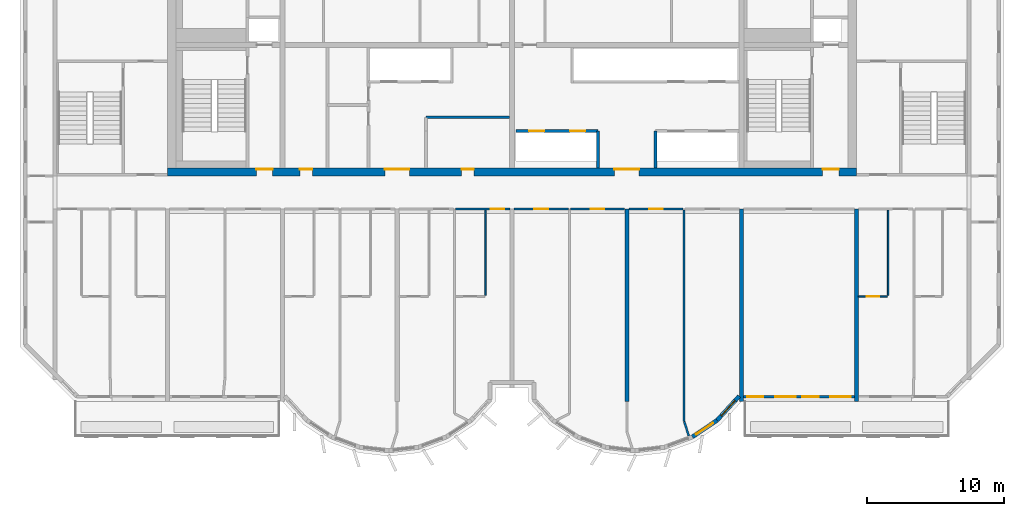
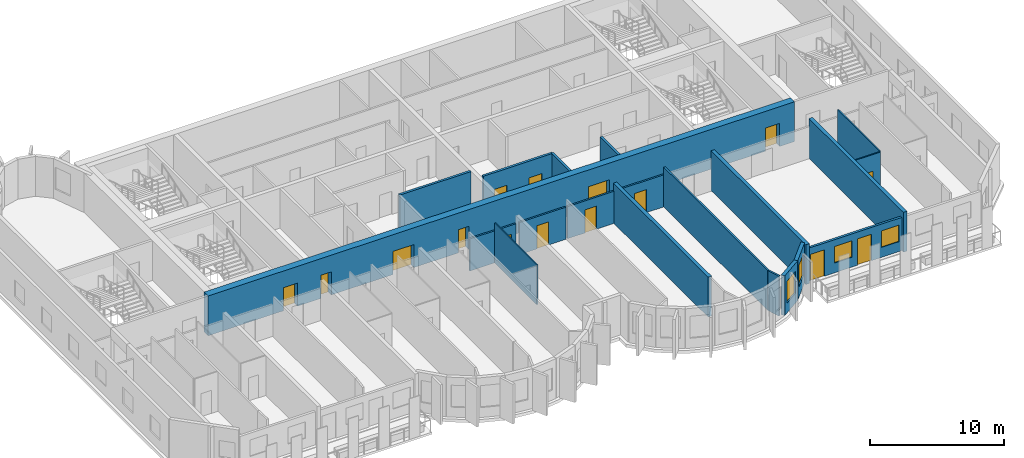
# One storey, part 5 of 11: 20 walls, 15 doors, 4 windows, 19 openings.
"""IFC4 building model written with IfcOpenShell, lengths in metres."""

from ifc_helpers import new_model, si_unit, direction, frame, frame_2d, origin, place, context, subcontext, project, spatial, rectangle, extrude, source, transform, mapped, material, layer, layer_set, type_object, element, fill, save


model = new_model("IFC4")

# Units and contexts
model_context = context("Model", 3, precision=1e-05, world=origin(), true_north=direction((0.0, 1.0)))
body_context = subcontext(model_context, "Body", "Model", "MODEL_VIEW")
ifc_project = project(units=[si_unit("LENGTHUNIT", "METRE"), si_unit("AREAUNIT", "SQUARE_METRE"), si_unit("VOLUMEUNIT", "CUBIC_METRE"), si_unit("PLANEANGLEUNIT", "RADIAN"), si_unit("MASSUNIT", "GRAM", prefix="KILO")], contexts=[model_context])

# Site, building, storey
site_placement = place(None, origin())
site = spatial("IfcSite", under=ifc_project, at=site_placement, CompositionType="ELEMENT")
building_placement = place(site_placement, origin())
building = spatial("IfcBuilding", under=site, at=building_placement, Name="Vanashikhar Sky Hotel", CompositionType="ELEMENT")
storey_placement = place(building_placement, frame((0.0, 0.0, 241.300048828125)))
storey = spatial("IfcBuildingStorey", under=building, at=storey_placement, Name="L58", CompositionType="ELEMENT", Elevation=241.300048828125)

# Wall, openings, doors
ifc_material_1 = material(Name="Concrete M60", Category="concrete")
ifc_layer_1 = layer(ifc_material_1, 0.60009765625)
ifc_layer_set_1 = layer_set([ifc_layer_1], Name="RC core shell wall 600 Concrete M60")
wall_type_1 = type_object("IfcWallType", Name="RC core shell wall 600 Concrete M60", PredefinedType="SHEAR", material=ifc_layer_set_1)
shared_shape_1 = source(origin(), body_context, "Body", "SweptSolid", [
    extrude(rectangle(XDim=50.400146484375, YDim=0.60009765625, at=frame_2d((25.2001953125, 0.0))), origin(), (0.0, 0.0, 1.0), 3.619873046875),
])
wall_1_placement = place(storey_placement, frame((25.199951171875, 22.300048828125, 0.0), z_axis=(0.0, 0.0, 1.0), x_axis=(1.0, 0.0, 0.0)))
wall_1 = element("IfcWall", 1, at=wall_1_placement, inside=storey, type_object=wall_type_1, Name="KW-L58-KS", PredefinedType="SHEAR", context=body_context, shape_type="MappedRepresentation", body=[
    mapped(shared_shape_1, transform((0.0, 0.0, 0.0), scale=1.0)),
])
shared_shape_2 = source(origin(), body_context, "Body", "SweptSolid", [
    extrude(rectangle(XDim=1.800048828125, YDim=2.10009765625, at=frame_2d((0.89990234375, 1.050048828125))), frame((0.0, 0.31005859375, 0.0), z_axis=(0.0, -1.0, 0.0), x_axis=(1.0, 0.0, 0.0)), (0.0, 0.0, 1.0), 0.6201171875),
])
opening_1_placement = place(wall_1_placement, frame((15.89990234375, 0.0, 0.0)))
opening_1 = element("IfcOpeningElement", 2, at=opening_1_placement, cuts=wall_1, Name="Opening DC-3-A", PredefinedType="OPENING", context=body_context, shape_type="MappedRepresentation", body=[
    mapped(shared_shape_2, transform((0.0, 0.0, 0.0), scale=1.0)),
])
shared_shape_3 = source(origin(), body_context, "Body", "SweptSolid", [
    extrude(rectangle(XDim=0.89990234375, YDim=2.10009765625, at=frame_2d((0.449951171875, 1.050048828125))), frame((0.0, 0.31005859375, 0.0), z_axis=(0.0, -1.0, 0.0), x_axis=(1.0, 0.0, 0.0)), (0.0, 0.0, 1.0), 0.6201171875),
])
opening_2_placement = place(wall_1_placement, frame((9.68701171875, 0.0, 0.0)))
opening_2 = element("IfcOpeningElement", 3, at=opening_2_placement, cuts=wall_1, Name="Opening DC-4-A", PredefinedType="OPENING", context=body_context, shape_type="MappedRepresentation", body=[
    mapped(shared_shape_3, transform((0.0, 0.0, 0.0), scale=1.0)),
])
opening_3_placement = place(wall_1_placement, frame((21.512939453125, 0.0, 0.0)))
opening_3 = element("IfcOpeningElement", 4, at=opening_3_placement, cuts=wall_1, Name="Opening DC-4-A", PredefinedType="OPENING", context=body_context, shape_type="MappedRepresentation", body=[
    mapped(shared_shape_3, transform((0.0, 0.0, 0.0), scale=1.0)),
])
opening_4_placement = place(wall_1_placement, frame((32.699951171875, 0.0, 0.0)))
opening_4 = element("IfcOpeningElement", 5, at=opening_4_placement, cuts=wall_1, Name="Opening DC-3-A", PredefinedType="OPENING", context=body_context, shape_type="MappedRepresentation", body=[
    mapped(shared_shape_2, transform((0.0, 0.0, 0.0), scale=1.0)),
])
shared_shape_4 = source(origin(), body_context, "Body", "SweptSolid", [
    extrude(rectangle(XDim=1.199951171875, YDim=2.10009765625, at=frame_2d((0.60009765625, 1.050048828125))), frame((0.0, 0.31005859375, 0.0), z_axis=(0.0, -1.0, 0.0), x_axis=(1.0, 0.0, 0.0)), (0.0, 0.0, 1.0), 0.6201171875),
])
opening_5_placement = place(wall_1_placement, frame((6.488037109375, 0.0, 0.0)))
opening_5 = element("IfcOpeningElement", 6, at=opening_5_placement, cuts=wall_1, Name="Opening DC-2", PredefinedType="OPENING", context=body_context, shape_type="MappedRepresentation", body=[
    mapped(shared_shape_4, transform((0.0, 0.0, 0.0), scale=1.0)),
])
opening_6_placement = place(wall_1_placement, frame((47.925048828125, 0.0, 0.0)))
opening_6 = element("IfcOpeningElement", 7, at=opening_6_placement, cuts=wall_1, Name="Opening DC-2", PredefinedType="OPENING", context=body_context, shape_type="MappedRepresentation", body=[
    mapped(shared_shape_4, transform((0.0, 0.0, 0.0), scale=1.0)),
])
ifc_material_2 = material(Name="Steel", Category="steel")
door_type_1 = type_object("IfcDoorType", Name="Firefighting lobby door 1200 FD120", OperationType="NOTDEFINED", PredefinedType="DOOR", material=ifc_material_2)
shared_shape_5 = source(origin(), body_context, "Body", "SweptSolid", [
    extrude(rectangle(XDim=1.199951171875, YDim=2.10009765625, at=frame_2d((0.60009765625, 1.050048828125))), frame((0.0, 0.22509765625, 0.0), z_axis=(0.0, -1.0, 0.0), x_axis=(1.0, 0.0, 0.0)), (0.0, 0.0, 1.0), 0.050048828125),
])
door_1_placement = place(opening_5_placement, origin())
door_1 = element("IfcDoor", 8, at=door_1_placement, inside=storey, type_object=door_type_1, Name="Firefighting lobby door 1200 FD120", OperationType="SINGLE_SWING_RIGHT", OverallHeight=2.10009765625, OverallWidth=1.199951171875, PredefinedType="DOOR", context=body_context, shape_type="MappedRepresentation", body=[
    mapped(shared_shape_5, transform((0.0, 0.0, 0.0), scale=1.0)),
])
fill(opening_5, door_1)
door_2_placement = place(opening_6_placement, origin())
door_2 = element("IfcDoor", 9, at=door_2_placement, inside=storey, type_object=door_type_1, Name="Firefighting lobby door 1200 FD120", OperationType="SINGLE_SWING_RIGHT", OverallHeight=2.10009765625, OverallWidth=1.199951171875, PredefinedType="DOOR", context=body_context, shape_type="MappedRepresentation", body=[
    mapped(shared_shape_5, transform((0.0, 0.0, 0.0), scale=1.0)),
])
fill(opening_6, door_2)
door_type_2 = type_object("IfcDoorType", Name="Service door 900 FD60", OperationType="NOTDEFINED", PredefinedType="DOOR", material=ifc_material_2)
shared_shape_6 = source(origin(), body_context, "Body", "SweptSolid", [
    extrude(rectangle(XDim=0.89990234375, YDim=2.10009765625, at=frame_2d((0.449951171875, 1.050048828125))), frame((0.0, 0.22509765625, 0.0), z_axis=(0.0, -1.0, 0.0), x_axis=(1.0, 0.0, 0.0)), (0.0, 0.0, 1.0), 0.050048828125),
])
door_3_placement = place(opening_2_placement, origin())
door_3 = element("IfcDoor", 10, at=door_3_placement, inside=storey, type_object=door_type_2, Name="Service door 900 FD60", OperationType="SINGLE_SWING_RIGHT", OverallHeight=2.10009765625, OverallWidth=0.89990234375, PredefinedType="DOOR", context=body_context, shape_type="MappedRepresentation", body=[
    mapped(shared_shape_6, transform((0.0, 0.0, 0.0), scale=1.0)),
])
fill(opening_2, door_3)
door_4_placement = place(opening_3_placement, origin())
door_4 = element("IfcDoor", 11, at=door_4_placement, inside=storey, type_object=door_type_2, Name="Service door 900 FD60", OperationType="SINGLE_SWING_RIGHT", OverallHeight=2.10009765625, OverallWidth=0.89990234375, PredefinedType="DOOR", context=body_context, shape_type="MappedRepresentation", body=[
    mapped(shared_shape_6, transform((0.0, 0.0, 0.0), scale=1.0)),
])
fill(opening_3, door_4)
ifc_material_3 = material(Name="Glass", Category="glass")
door_type_3 = type_object("IfcDoorType", Name="Lift lobby entrance door 1800 FD30S", OperationType="NOTDEFINED", PredefinedType="DOOR", material=ifc_material_3)
shared_shape_7 = source(origin(), body_context, "Body", "SweptSolid", [
    extrude(rectangle(XDim=1.800048828125, YDim=2.10009765625, at=frame_2d((0.89990234375, 1.050048828125))), frame((0.0, 0.22509765625, 0.0), z_axis=(0.0, -1.0, 0.0), x_axis=(1.0, 0.0, 0.0)), (0.0, 0.0, 1.0), 0.050048828125),
])
door_5_placement = place(opening_1_placement, origin())
door_5 = element("IfcDoor", 12, at=door_5_placement, inside=storey, type_object=door_type_3, Name="Lift lobby entrance door 1800 FD30S", OperationType="DOUBLE_DOOR_SINGLE_SWING", OverallHeight=2.10009765625, OverallWidth=1.800048828125, PredefinedType="DOOR", context=body_context, shape_type="MappedRepresentation", body=[
    mapped(shared_shape_7, transform((0.0, 0.0, 0.0), scale=1.0)),
])
fill(opening_1, door_5)
door_6_placement = place(opening_4_placement, origin())
door_6 = element("IfcDoor", 13, at=door_6_placement, inside=storey, type_object=door_type_3, Name="Lift lobby entrance door 1800 FD30S", OperationType="DOUBLE_DOOR_SINGLE_SWING", OverallHeight=2.10009765625, OverallWidth=1.800048828125, PredefinedType="DOOR", context=body_context, shape_type="MappedRepresentation", body=[
    mapped(shared_shape_7, transform((0.0, 0.0, 0.0), scale=1.0)),
])
fill(opening_4, door_6)

# Walls
ifc_layer_2 = layer(ifc_material_1, 0.300048828125)
ifc_layer_set_2 = layer_set([ifc_layer_2], Name="RC shear wall 300 Concrete M60")
wall_type_2 = type_object("IfcWallType", Name="RC shear wall 300 Concrete M60", PredefinedType="SHEAR", material=ifc_layer_set_2)
shared_shape_8 = source(origin(), body_context, "Body", "SweptSolid", [
    extrude(rectangle(XDim=14.10009765625, YDim=0.300048828125, at=frame_2d((7.050048828125, 0.0))), origin(), (0.0, 0.0, 1.0), 3.619873046875),
])
for number, where, z_axis, x_axis, name in (
    (14, (58.800048828125, 5.5, 0.0), (0.0, 0.0, 1.0), (0.0, 1.0, 0.0), "CW-L58-XW08-1"),
    (15, (67.199951171875, 5.5, 0.0), (0.0, 0.0, 1.0), (0.0, 1.0, 0.0), "CW-L58-XW09-1"),
    (16, (75.60009765625, 5.5, 0.0), (0.0, 0.0, 1.0), (0.0, 1.0, 0.0), "CW-L58-XW10-1"),
):
    element("IfcWall", number, at=place(storey_placement, frame(where, z_axis=z_axis, x_axis=x_axis)), inside=storey, type_object=wall_type_2, Name=name, PredefinedType="SHEAR", context=body_context, shape_type="MappedRepresentation", body=[
        mapped(shared_shape_8, transform((0.0, 0.0, 0.0), scale=1.0)),
    ])

# Wall, openings, windows, doors
ifc_material_4 = material(Name="Concrete M50", Category="concrete")
ifc_layer_3 = layer(ifc_material_4, 0.199951171875)
ifc_layer_set_3 = layer_set([ifc_layer_3], Name="Front window wall 200")
wall_type_3 = type_object("IfcWallType", Name="Front window wall 200", PredefinedType="SOLIDWALL", material=ifc_layer_set_3)
shared_shape_9 = source(origin(), body_context, "Body", "SweptSolid", [
    extrude(rectangle(XDim=8.099853515625, YDim=0.199951171875, at=frame_2d((4.0498046875, 0.0))), origin(), (0.0, 0.0, 1.0), 3.02001953125),
])
wall_2_placement = place(storey_placement, frame((67.35009765625, 5.85009765625, 0.0), z_axis=(0.0, 0.0, 1.0), x_axis=(1.0, 0.0, 0.0)))
wall_2 = element("IfcWall", 17, at=wall_2_placement, inside=storey, type_object=wall_type_3, Name="Front window wall", PredefinedType="SOLIDWALL", context=body_context, shape_type="MappedRepresentation", body=[
    mapped(shared_shape_9, transform((0.0, 0.0, 0.0), scale=1.0)),
])
shared_shape_10 = source(origin(), body_context, "Body", "SweptSolid", [
    extrude(rectangle(XDim=1.199951171875, YDim=2.39990234375, at=frame_2d((0.60009765625, 1.199951171875))), frame((0.0, 0.10986328125, 0.0), z_axis=(0.0, -1.0, 0.0), x_axis=(1.0, 0.0, 0.0)), (0.0, 0.0, 1.0), 0.219970703125),
])
opening_7_placement = place(wall_2_placement, frame((0.25, 0.0, 0.0)))
opening_7 = element("IfcOpeningElement", 18, at=opening_7_placement, cuts=wall_2, Name="Opening BD-03", PredefinedType="OPENING", context=body_context, shape_type="MappedRepresentation", body=[
    mapped(shared_shape_10, transform((0.0, 0.0, 0.0), scale=1.0)),
])
shared_shape_11 = source(origin(), body_context, "Body", "SweptSolid", [
    extrude(rectangle(XDim=1.5, YDim=1.5, at=frame_2d((0.75, 0.75))), frame((0.0, 0.10986328125, 0.0), z_axis=(0.0, -1.0, 0.0), x_axis=(1.0, 0.0, 0.0)), (0.0, 0.0, 1.0), 0.219970703125),
])
opening_8_placement = place(wall_2_placement, frame((2.300048828125, 0.0, 0.89990234375)))
opening_8 = element("IfcOpeningElement", 19, at=opening_8_placement, cuts=wall_2, Name="Opening WN-1", PredefinedType="OPENING", context=body_context, shape_type="MappedRepresentation", body=[
    mapped(shared_shape_11, transform((0.0, 0.0, 0.0), scale=1.0)),
])
opening_9_placement = place(wall_2_placement, frame((4.300048828125, 0.0, 0.0)))
opening_9 = element("IfcOpeningElement", 20, at=opening_9_placement, cuts=wall_2, Name="Opening BD-04", PredefinedType="OPENING", context=body_context, shape_type="MappedRepresentation", body=[
    mapped(shared_shape_10, transform((0.0, 0.0, 0.0), scale=1.0)),
])
opening_10_placement = place(wall_2_placement, frame((6.35009765625, 0.0, 0.89990234375)))
opening_10 = element("IfcOpeningElement", 21, at=opening_10_placement, cuts=wall_2, Name="Opening WN-1", PredefinedType="OPENING", context=body_context, shape_type="MappedRepresentation", body=[
    mapped(shared_shape_11, transform((0.0, 0.0, 0.0), scale=1.0)),
])
window_type_1 = type_object("IfcWindowType", Name="Window 1500 x 1500", PartitioningType="SINGLE_PANEL", PredefinedType="WINDOW", material=ifc_material_3)
shared_shape_12 = source(origin(), body_context, "Body", "SweptSolid", [
    extrude(rectangle(XDim=1.5, YDim=1.5, at=frame_2d((0.75, 0.75))), frame((0.0, 0.030029296875, 0.0), z_axis=(0.0, -1.0, 0.0), x_axis=(1.0, 0.0, 0.0)), (0.0, 0.0, 1.0), 0.06005859375),
])
window_1_placement = place(opening_8_placement, origin())
window_1 = element("IfcWindow", 22, at=window_1_placement, inside=storey, type_object=window_type_1, Name="Window WN-1", OverallHeight=1.5, OverallWidth=1.5, PartitioningType="SINGLE_PANEL", PredefinedType="WINDOW", context=body_context, shape_type="MappedRepresentation", body=[
    mapped(shared_shape_12, transform((0.0, 0.0, 0.0), scale=1.0)),
])
fill(opening_8, window_1)
window_2_placement = place(opening_10_placement, origin())
window_2 = element("IfcWindow", 23, at=window_2_placement, inside=storey, type_object=window_type_1, Name="Window WN-1", OverallHeight=1.5, OverallWidth=1.5, PartitioningType="SINGLE_PANEL", PredefinedType="WINDOW", context=body_context, shape_type="MappedRepresentation", body=[
    mapped(shared_shape_12, transform((0.0, 0.0, 0.0), scale=1.0)),
])
fill(opening_10, window_2)
ifc_material_5 = material(Name="Aluminium", Category="aluminium")
door_type_4 = type_object("IfcDoorType", Name="Balcony sliding door 1200 x 2400", OperationType="NOTDEFINED", PredefinedType="DOOR", material=ifc_material_5)
shared_shape_13 = source(origin(), body_context, "Body", "SweptSolid", [
    extrude(rectangle(XDim=1.199951171875, YDim=2.39990234375, at=frame_2d((0.60009765625, 1.199951171875))), frame((0.0, 0.02490234375, 0.0), z_axis=(0.0, -1.0, 0.0), x_axis=(1.0, 0.0, 0.0)), (0.0, 0.0, 1.0), 0.050048828125),
])
door_7_placement = place(opening_7_placement, origin())
door_7 = element("IfcDoor", 24, at=door_7_placement, inside=storey, type_object=door_type_4, Name="Balcony sliding door", OperationType="SLIDING_TO_LEFT", OverallHeight=2.39990234375, OverallWidth=1.199951171875, PredefinedType="DOOR", context=body_context, shape_type="MappedRepresentation", body=[
    mapped(shared_shape_13, transform((0.0, 0.0, 0.0), scale=1.0)),
])
fill(opening_7, door_7)
door_8_placement = place(opening_9_placement, origin())
door_8 = element("IfcDoor", 25, at=door_8_placement, inside=storey, type_object=door_type_4, Name="Balcony sliding door", OperationType="SLIDING_TO_RIGHT", OverallHeight=2.39990234375, OverallWidth=1.199951171875, PredefinedType="DOOR", context=body_context, shape_type="MappedRepresentation", body=[
    mapped(shared_shape_13, transform((0.0, 0.0, 0.0), scale=1.0)),
])
fill(opening_9, door_8)

# Wall, opening, window
ifc_layer_4 = layer(ifc_material_4, 0.300048828125)
ifc_layer_set_4 = layer_set([ifc_layer_4], Name="Lobe wall 300")
wall_type_4 = type_object("IfcWallType", Name="Lobe wall 300", PredefinedType="SOLIDWALL", material=ifc_layer_set_4)
shared_shape_14 = source(origin(), body_context, "Body", "SweptSolid", [
    extrude(rectangle(XDim=2.398193359375, YDim=0.300048828125, at=frame_2d((1.19921875, 0.0))), origin(), (0.0, 0.0, 1.0), 3.619873046875),
])
wall_3_placement = place(storey_placement, frame((65.404296875, 4.13134765625, 0.0), z_axis=(0.0, 0.0, 1.0), x_axis=(0.675374189419, 0.737475222815, 0.0)))
wall_3 = element("IfcWall", 26, at=wall_3_placement, inside=storey, type_object=wall_type_4, Name="Lobe wall", PredefinedType="SOLIDWALL", context=body_context, shape_type="MappedRepresentation", body=[
    mapped(shared_shape_14, transform((0.0, 0.0, 0.0), scale=1.0)),
])
shared_shape_15 = source(origin(), body_context, "Body", "SweptSolid", [
    extrude(rectangle(XDim=1.5, YDim=2.0, at=frame_2d((0.75, 1.0))), frame((0.0, 0.16015625, 0.0), z_axis=(0.0, -1.0, 0.0), x_axis=(1.0, 0.0, 0.0)), (0.0, 0.0, 1.0), 0.320068359375),
])
opening_11_placement = place(wall_3_placement, frame((0.44921875, 0.0, 0.89990234375)))
opening_11 = element("IfcOpeningElement", 27, at=opening_11_placement, cuts=wall_3, Name="Opening WN-2", PredefinedType="OPENING", context=body_context, shape_type="MappedRepresentation", body=[
    mapped(shared_shape_15, transform((0.0, 0.0, 0.0), scale=1.0)),
])
window_type_2 = type_object("IfcWindowType", Name="Lobe window 1500 x 2000", PartitioningType="SINGLE_PANEL", PredefinedType="WINDOW", material=ifc_material_3)
shared_shape_16 = source(origin(), body_context, "Body", "SweptSolid", [
    extrude(rectangle(XDim=1.5, YDim=2.0, at=frame_2d((0.75, 1.0))), frame((0.0, 0.030029296875, 0.0), z_axis=(0.0, -1.0, 0.0), x_axis=(1.0, 0.0, 0.0)), (0.0, 0.0, 1.0), 0.06005859375),
])
window_3_placement = place(opening_11_placement, origin())
window_3 = element("IfcWindow", 28, at=window_3_placement, inside=storey, type_object=window_type_2, Name="Window WN-2", OverallHeight=2.0, OverallWidth=1.5, PartitioningType="SINGLE_PANEL", PredefinedType="WINDOW", context=body_context, shape_type="MappedRepresentation", body=[
    mapped(shared_shape_16, transform((0.0, 0.0, 0.0), scale=1.0)),
])
fill(opening_11, window_3)

shared_shape_17 = source(origin(), body_context, "Body", "SweptSolid", [
    extrude(rectangle(XDim=2.17578125, YDim=0.300048828125, at=frame_2d((1.087890625, 0.0))), origin(), (0.0, 0.0, 1.0), 3.619873046875),
])
wall_4_placement = place(storey_placement, frame((63.59912109375, 2.91650390625, 0.0), z_axis=(0.0, 0.0, 1.0), x_axis=(0.829625727223, 0.558319937607, 0.0)))
wall_4 = element("IfcWall", 29, at=wall_4_placement, inside=storey, type_object=wall_type_4, Name="Lobe wall", PredefinedType="SOLIDWALL", context=body_context, shape_type="MappedRepresentation", body=[
    mapped(shared_shape_17, transform((0.0, 0.0, 0.0), scale=1.0)),
])
opening_12_placement = place(wall_4_placement, frame((0.337890625, 0.0, 0.89990234375)))
opening_12 = element("IfcOpeningElement", 30, at=opening_12_placement, cuts=wall_4, Name="Opening WN-2", PredefinedType="OPENING", context=body_context, shape_type="MappedRepresentation", body=[
    mapped(shared_shape_15, transform((0.0, 0.0, 0.0), scale=1.0)),
])
window_4_placement = place(opening_12_placement, origin())
window_4 = element("IfcWindow", 31, at=window_4_placement, inside=storey, type_object=window_type_2, Name="Window WN-2", OverallHeight=2.0, OverallWidth=1.5, PartitioningType="SINGLE_PANEL", PredefinedType="WINDOW", context=body_context, shape_type="MappedRepresentation", body=[
    mapped(shared_shape_16, transform((0.0, 0.0, 0.0), scale=1.0)),
])
fill(opening_12, window_4)

# Wall, openings, doors
ifc_material_6 = material(Name="Concrete M40", Category="concrete")
ifc_layer_5 = layer(ifc_material_6, 0.199951171875)
ifc_layer_set_5 = layer_set([ifc_layer_5], Name="Shaft wall 200")
wall_type_5 = type_object("IfcWallType", Name="Shaft wall 200", PredefinedType="SOLIDWALL", material=ifc_layer_set_5)
shared_shape_18 = source(origin(), body_context, "Body", "SweptSolid", [
    extrude(rectangle(XDim=6.0, YDim=0.199951171875, at=frame_2d((3.0, 0.0))), origin(), (0.0, 0.0, 1.0), 3.619873046875),
])
wall_5_placement = place(storey_placement, frame((56.699951171875, 25.300048828125, 0.0), z_axis=(0.0, 0.0, 1.0), x_axis=(-1.0, 0.0, 0.0)))
wall_5 = element("IfcWall", 32, at=wall_5_placement, inside=storey, type_object=wall_type_5, Name="Shaft wall 200", PredefinedType="SOLIDWALL", context=body_context, shape_type="MappedRepresentation", body=[
    mapped(shared_shape_18, transform((0.0, 0.0, 0.0), scale=1.0)),
])
shared_shape_19 = source(origin(), body_context, "Body", "SweptSolid", [
    extrude(rectangle(XDim=1.10009765625, YDim=2.10009765625, at=frame_2d((0.550048828125, 1.050048828125))), frame((0.0, 0.10986328125, 0.0), z_axis=(0.0, -1.0, 0.0), x_axis=(1.0, 0.0, 0.0)), (0.0, 0.0, 1.0), 0.219970703125),
])
opening_13_placement = place(wall_5_placement, frame((0.949951171875, 0.0, 0.0)))
opening_13 = element("IfcOpeningElement", 33, at=opening_13_placement, cuts=wall_5, Name="Opening LD", PredefinedType="OPENING", context=body_context, shape_type="MappedRepresentation", body=[
    mapped(shared_shape_19, transform((0.0, 0.0, 0.0), scale=1.0)),
])
opening_14_placement = place(wall_5_placement, frame((3.949951171875, 0.0, 0.0)))
opening_14 = element("IfcOpeningElement", 34, at=opening_14_placement, cuts=wall_5, Name="Opening LD", PredefinedType="OPENING", context=body_context, shape_type="MappedRepresentation", body=[
    mapped(shared_shape_19, transform((0.0, 0.0, 0.0), scale=1.0)),
])
ifc_material_7 = material(Name="Stainless steel", Category="steel")
door_type_5 = type_object("IfcDoorType", Name="Lift landing door 1100", OperationType="NOTDEFINED", PredefinedType="DOOR", material=ifc_material_7)
shared_shape_20 = source(origin(), body_context, "Body", "SweptSolid", [
    extrude(rectangle(XDim=1.10009765625, YDim=2.10009765625, at=frame_2d((0.550048828125, 1.050048828125))), frame((0.0, 0.02490234375, 0.0), z_axis=(0.0, -1.0, 0.0), x_axis=(1.0, 0.0, 0.0)), (0.0, 0.0, 1.0), 0.050048828125),
])
door_9_placement = place(opening_13_placement, origin())
door_9 = element("IfcDoor", 35, at=door_9_placement, inside=storey, type_object=door_type_5, Name="Lift landing door 1100", OperationType="SLIDING_TO_RIGHT", OverallHeight=2.10009765625, OverallWidth=1.10009765625, PredefinedType="DOOR", context=body_context, shape_type="MappedRepresentation", body=[
    mapped(shared_shape_20, transform((0.0, 0.0, 0.0), scale=1.0)),
])
fill(opening_13, door_9)
door_10_placement = place(opening_14_placement, origin())
door_10 = element("IfcDoor", 36, at=door_10_placement, inside=storey, type_object=door_type_5, Name="Lift landing door 1100", OperationType="SLIDING_TO_LEFT", OverallHeight=2.10009765625, OverallWidth=1.10009765625, PredefinedType="DOOR", context=body_context, shape_type="MappedRepresentation", body=[
    mapped(shared_shape_20, transform((0.0, 0.0, 0.0), scale=1.0)),
])
fill(opening_14, door_10)

# Walls
shared_shape_21 = source(origin(), body_context, "Body", "SweptSolid", [
    extrude(rectangle(XDim=2.699951171875, YDim=0.199951171875, at=frame_2d((1.35009765625, 0.0))), origin(), (0.0, 0.0, 1.0), 3.619873046875),
])
for number, where, z_axis, x_axis, name in (
    (37, (60.89990234375, 22.60009765625, 0.0), (0.0, 0.0, 1.0), (0.0, 1.0, 0.0), "Shaft wall 200"),
    (38, (56.699951171875, 22.60009765625, 0.0), (0.0, 0.0, 1.0), (0.0, 1.0, 0.0), "Shaft wall 200"),
):
    element("IfcWall", number, at=place(storey_placement, frame(where, z_axis=z_axis, x_axis=x_axis)), inside=storey, type_object=wall_type_5, Name=name, PredefinedType="SOLIDWALL", context=body_context, shape_type="MappedRepresentation", body=[
        mapped(shared_shape_21, transform((0.0, 0.0, 0.0), scale=1.0)),
    ])
ifc_material_8 = material(Name="Gypsum board partition")
ifc_layer_6 = layer(ifc_material_8, 0.14990234375)
ifc_layer_set_6 = layer_set([ifc_layer_6], Name="Service partition 150")
wall_type_6 = type_object("IfcWallType", Name="Service partition 150", PredefinedType="PARTITIONING", material=ifc_layer_set_6)
shared_shape_22 = source(origin(), body_context, "Body", "SweptSolid", [
    extrude(rectangle(XDim=6.125, YDim=0.199951171875, at=frame_2d((3.0625, 0.0))), origin(), (0.0, 0.0, 1.0), 3.619873046875),
])
wall_6_placement = place(storey_placement, frame((44.10009765625, 26.300048828125, 0.0), z_axis=(0.0, 0.0, 1.0), x_axis=(1.0, 0.0, 0.0)))
element("IfcWall", 39, at=wall_6_placement, inside=storey, type_object=wall_type_6, Name="Service partition 150", PredefinedType="PARTITIONING", context=body_context, shape_type="MappedRepresentation", body=[
    mapped(shared_shape_22, transform((0.0, 0.0, 0.0), scale=1.0)),
])

# Wall, opening, door
ifc_material_9 = material(Name="Gypsum plasterboard partition")
ifc_layer_7 = layer(ifc_material_9, 0.14990234375)
ifc_layer_set_7 = layer_set([ifc_layer_7], Name="Corridor and demising partition 150")
wall_type_7 = type_object("IfcWallType", Name="Corridor and demising partition 150", PredefinedType="PARTITIONING", material=ifc_layer_set_7)
shared_shape_23 = source(origin(), body_context, "Body", "SweptSolid", [
    extrude(rectangle(XDim=3.97509765625, YDim=0.14990234375, at=frame_2d((1.987548828125, 0.0))), origin(), (0.0, 0.0, 1.0), 2.919921875),
])
wall_7_placement = place(storey_placement, frame((46.27490234375, 19.60009765625, 0.0), z_axis=(0.0, 0.0, 1.0), x_axis=(1.0, 0.0, 0.0)))
wall_7 = element("IfcWall", 40, at=wall_7_placement, inside=storey, type_object=wall_type_7, Name="W-L58-PW023", PredefinedType="PARTITIONING", context=body_context, shape_type="MappedRepresentation", body=[
    mapped(shared_shape_23, transform((0.0, 0.0, 0.0), scale=1.0)),
])
shared_shape_24 = source(origin(), body_context, "Body", "SweptSolid", [
    extrude(rectangle(XDim=1.0, YDim=2.10009765625, at=frame_2d((0.5, 1.050048828125))), frame((0.0, 0.0849609375, 0.0), z_axis=(0.0, -1.0, 0.0), x_axis=(1.0, 0.0, 0.0)), (0.0, 0.0, 1.0), 0.169921875),
])
opening_15_placement = place(wall_7_placement, frame((2.574951171875, 0.0, 0.0)))
opening_15 = element("IfcOpeningElement", 41, at=opening_15_placement, cuts=wall_7, Name="Opening D-01", PredefinedType="OPENING", context=body_context, shape_type="MappedRepresentation", body=[
    mapped(shared_shape_24, transform((0.0, 0.0, 0.0), scale=1.0)),
])
ifc_material_10 = material(Name="Timber fire door", Category="wood")
door_type_6 = type_object("IfcDoorType", Name="Guest entry door 1000 FD30S", OperationType="NOTDEFINED", PredefinedType="DOOR", material=ifc_material_10)
shared_shape_25 = source(origin(), body_context, "Body", "SweptSolid", [
    extrude(rectangle(XDim=1.0, YDim=2.10009765625, at=frame_2d((0.5, 1.050048828125))), frame((0.0, 0.02490234375, 0.0), z_axis=(0.0, -1.0, 0.0), x_axis=(1.0, 0.0, 0.0)), (0.0, 0.0, 1.0), 0.050048828125),
])
door_11_placement = place(opening_15_placement, origin())
door_11 = element("IfcDoor", 42, at=door_11_placement, inside=storey, type_object=door_type_6, Name="D-L58-014", OperationType="SINGLE_SWING_RIGHT", OverallHeight=2.10009765625, OverallWidth=1.0, PredefinedType="DOOR", context=body_context, shape_type="MappedRepresentation", body=[
    mapped(shared_shape_25, transform((0.0, 0.0, 0.0), scale=1.0)),
])
fill(opening_15, door_11)

wall_8_placement = place(storey_placement, frame((58.949951171875, 19.60009765625, 0.0), z_axis=(0.0, 0.0, 1.0), x_axis=(1.0, 0.0, 0.0)))
wall_8 = element("IfcWall", 43, at=wall_8_placement, inside=storey, type_object=wall_type_7, Name="W-L58-PW028", PredefinedType="PARTITIONING", context=body_context, shape_type="MappedRepresentation", body=[
    mapped(shared_shape_23, transform((0.0, 0.0, 0.0), scale=1.0)),
])
opening_16_placement = place(wall_8_placement, frame((1.487060546875, 0.0, 0.0)))
opening_16 = element("IfcOpeningElement", 44, at=opening_16_placement, cuts=wall_8, Name="Opening D-01", PredefinedType="OPENING", context=body_context, shape_type="MappedRepresentation", body=[
    mapped(shared_shape_24, transform((0.0, 0.0, 0.0), scale=1.0)),
])
door_12_placement = place(opening_16_placement, origin())
door_12 = element("IfcDoor", 45, at=door_12_placement, inside=storey, type_object=door_type_6, Name="D-L58-017", OperationType="SINGLE_SWING_LEFT", OverallHeight=2.10009765625, OverallWidth=1.0, PredefinedType="DOOR", context=body_context, shape_type="MappedRepresentation", body=[
    mapped(shared_shape_25, transform((0.0, 0.0, 0.0), scale=1.0)),
])
fill(opening_16, door_12)

shared_shape_26 = source(origin(), body_context, "Body", "SweptSolid", [
    extrude(rectangle(XDim=3.974853515625, YDim=0.14990234375, at=frame_2d((1.9873046875, 0.0))), origin(), (0.0, 0.0, 1.0), 2.919921875),
])
wall_9_placement = place(storey_placement, frame((50.550048828125, 19.60009765625, 0.0), z_axis=(0.0, 0.0, 1.0), x_axis=(1.0, 0.0, 0.0)))
wall_9 = element("IfcWall", 46, at=wall_9_placement, inside=storey, type_object=wall_type_7, Name="W-L58-PW025", PredefinedType="PARTITIONING", context=body_context, shape_type="MappedRepresentation", body=[
    mapped(shared_shape_26, transform((0.0, 0.0, 0.0), scale=1.0)),
])
opening_17_placement = place(wall_9_placement, frame((1.487060546875, 0.0, 0.0)))
opening_17 = element("IfcOpeningElement", 47, at=opening_17_placement, cuts=wall_9, Name="Opening D-01", PredefinedType="OPENING", context=body_context, shape_type="MappedRepresentation", body=[
    mapped(shared_shape_24, transform((0.0, 0.0, 0.0), scale=1.0)),
])
door_13_placement = place(opening_17_placement, origin())
door_13 = element("IfcDoor", 48, at=door_13_placement, inside=storey, type_object=door_type_6, Name="D-L58-015", OperationType="SINGLE_SWING_LEFT", OverallHeight=2.10009765625, OverallWidth=1.0, PredefinedType="DOOR", context=body_context, shape_type="MappedRepresentation", body=[
    mapped(shared_shape_25, transform((0.0, 0.0, 0.0), scale=1.0)),
])
fill(opening_17, door_13)

wall_10_placement = place(storey_placement, frame((54.675048828125, 19.60009765625, 0.0), z_axis=(0.0, 0.0, 1.0), x_axis=(1.0, 0.0, 0.0)))
wall_10 = element("IfcWall", 49, at=wall_10_placement, inside=storey, type_object=wall_type_7, Name="W-L58-PW026", PredefinedType="PARTITIONING", context=body_context, shape_type="MappedRepresentation", body=[
    mapped(shared_shape_26, transform((0.0, 0.0, 0.0), scale=1.0)),
])
opening_18_placement = place(wall_10_placement, frame((1.488037109375, 0.0, 0.0)))
opening_18 = element("IfcOpeningElement", 50, at=opening_18_placement, cuts=wall_10, Name="Opening D-01", PredefinedType="OPENING", context=body_context, shape_type="MappedRepresentation", body=[
    mapped(shared_shape_24, transform((0.0, 0.0, 0.0), scale=1.0)),
])
door_14_placement = place(opening_18_placement, origin())
door_14 = element("IfcDoor", 51, at=door_14_placement, inside=storey, type_object=door_type_6, Name="D-L58-016", OperationType="SINGLE_SWING_RIGHT", OverallHeight=2.10009765625, OverallWidth=1.0, PredefinedType="DOOR", context=body_context, shape_type="MappedRepresentation", body=[
    mapped(shared_shape_25, transform((0.0, 0.0, 0.0), scale=1.0)),
])
fill(opening_18, door_14)

ifc_layer_8 = layer(ifc_material_9, 0.10009765625)
ifc_layer_set_8 = layer_set([ifc_layer_8], Name="Wet room partition 100")
wall_type_8 = type_object("IfcWallType", Name="Wet room partition 100", PredefinedType="PARTITIONING", material=ifc_layer_set_8)
shared_shape_27 = source(origin(), body_context, "Body", "SweptSolid", [
    extrude(rectangle(XDim=2.125, YDim=0.10009765625, at=frame_2d((1.0625, 0.0))), origin(), (0.0, 0.0, 1.0), 3.619873046875),
])
wall_11_placement = place(storey_placement, frame((75.75, 13.199951171875, 0.0), z_axis=(0.0, 0.0, 1.0), x_axis=(1.0, 0.0, 0.0)))
wall_11 = element("IfcWall", 52, at=wall_11_placement, inside=storey, type_object=wall_type_8, Name="W-L58-PW033", PredefinedType="PARTITIONING", context=body_context, shape_type="MappedRepresentation", body=[
    mapped(shared_shape_27, transform((0.0, 0.0, 0.0), scale=1.0)),
])
shared_shape_28 = source(origin(), body_context, "Body", "SweptSolid", [
    extrude(rectangle(XDim=0.89990234375, YDim=2.10009765625, at=frame_2d((0.449951171875, 1.050048828125))), frame((0.0, 0.06005859375, 0.0), z_axis=(0.0, -1.0, 0.0), x_axis=(1.0, 0.0, 0.0)), (0.0, 0.0, 1.0), 0.1201171875),
])
opening_19_placement = place(wall_11_placement, frame((0.612060546875, 0.0, 0.0)))
opening_19 = element("IfcOpeningElement", 53, at=opening_19_placement, cuts=wall_11, Name="Opening D-02", PredefinedType="OPENING", context=body_context, shape_type="MappedRepresentation", body=[
    mapped(shared_shape_28, transform((0.0, 0.0, 0.0), scale=1.0)),
])
ifc_material_11 = material(Name="Timber door", Category="wood")
door_type_7 = type_object("IfcDoorType", Name="Internal door 900", OperationType="NOTDEFINED", PredefinedType="DOOR", material=ifc_material_11)
shared_shape_29 = source(origin(), body_context, "Body", "SweptSolid", [
    extrude(rectangle(XDim=0.89990234375, YDim=2.10009765625, at=frame_2d((0.449951171875, 1.050048828125))), frame((0.0, 0.02490234375, 0.0), z_axis=(0.0, -1.0, 0.0), x_axis=(1.0, 0.0, 0.0)), (0.0, 0.0, 1.0), 0.050048828125),
])
door_15_placement = place(opening_19_placement, origin())
door_15 = element("IfcDoor", 54, at=door_15_placement, inside=storey, type_object=door_type_7, Name="D-L58-020", OperationType="SINGLE_SWING_RIGHT", OverallHeight=2.10009765625, OverallWidth=0.89990234375, PredefinedType="DOOR", context=body_context, shape_type="MappedRepresentation", body=[
    mapped(shared_shape_29, transform((0.0, 0.0, 0.0), scale=1.0)),
])
fill(opening_19, door_15)

# Walls
shared_shape_30 = source(origin(), body_context, "Body", "SweptSolid", [
    extrude(rectangle(XDim=15.497802734375, YDim=0.14990234375, at=frame_2d((7.7490234375, 0.0))), origin(), (0.0, 0.0, 1.0), 3.619873046875),
])
wall_12_placement = place(storey_placement, frame((63.0, 4.027099609375, 0.0), z_axis=(0.0, 0.0, 1.0), x_axis=(0.0, 1.0, 0.0)))
element("IfcWall", 55, at=wall_12_placement, inside=storey, type_object=wall_type_7, Name="W-L58-PW030", PredefinedType="PARTITIONING", context=body_context, shape_type="MappedRepresentation", body=[
    mapped(shared_shape_30, transform((0.0, 0.0, 0.0), scale=1.0)),
])
shared_shape_31 = source(origin(), body_context, "Body", "SweptSolid", [
    extrude(rectangle(XDim=1.100830078125, YDim=0.14990234375, at=frame_2d((0.55029296875, 0.0))), origin(), (0.0, 0.0, 1.0), 3.619873046875),
])
wall_13_placement = place(storey_placement, frame((63.343017578125, 2.98095703125, 0.0), z_axis=(0.0, 0.0, 1.0), x_axis=(-0.311567081539, 0.950224159712, 0.0)))
element("IfcWall", 56, at=wall_13_placement, inside=storey, type_object=wall_type_7, Name="W-L58-PW030B0", PredefinedType="PARTITIONING", context=body_context, shape_type="MappedRepresentation", body=[
    mapped(shared_shape_31, transform((0.0, 0.0, 0.0), scale=1.0)),
])
shared_shape_32 = source(origin(), body_context, "Body", "SweptSolid", [
    extrude(rectangle(XDim=6.25, YDim=0.10009765625, at=frame_2d((3.125, 0.0))), origin(), (0.0, 0.0, 1.0), 3.619873046875),
])
for number, where, z_axis, x_axis, name in (
    (57, (48.449951171875, 13.27490234375, 0.0), (0.0, 0.0, 1.0), (0.0, 1.0, 0.0), "W-L58-PW021"),
    (58, (77.925048828125, 13.27490234375, 0.0), (0.0, 0.0, 1.0), (0.0, 1.0, 0.0), "W-L58-PW032"),
):
    element("IfcWall", number, at=place(storey_placement, frame(where, z_axis=z_axis, x_axis=x_axis)), inside=storey, type_object=wall_type_8, Name=name, PredefinedType="PARTITIONING", context=body_context, shape_type="MappedRepresentation", body=[
        mapped(shared_shape_32, transform((0.0, 0.0, 0.0), scale=1.0)),
    ])

save(model, "model.ifc")
